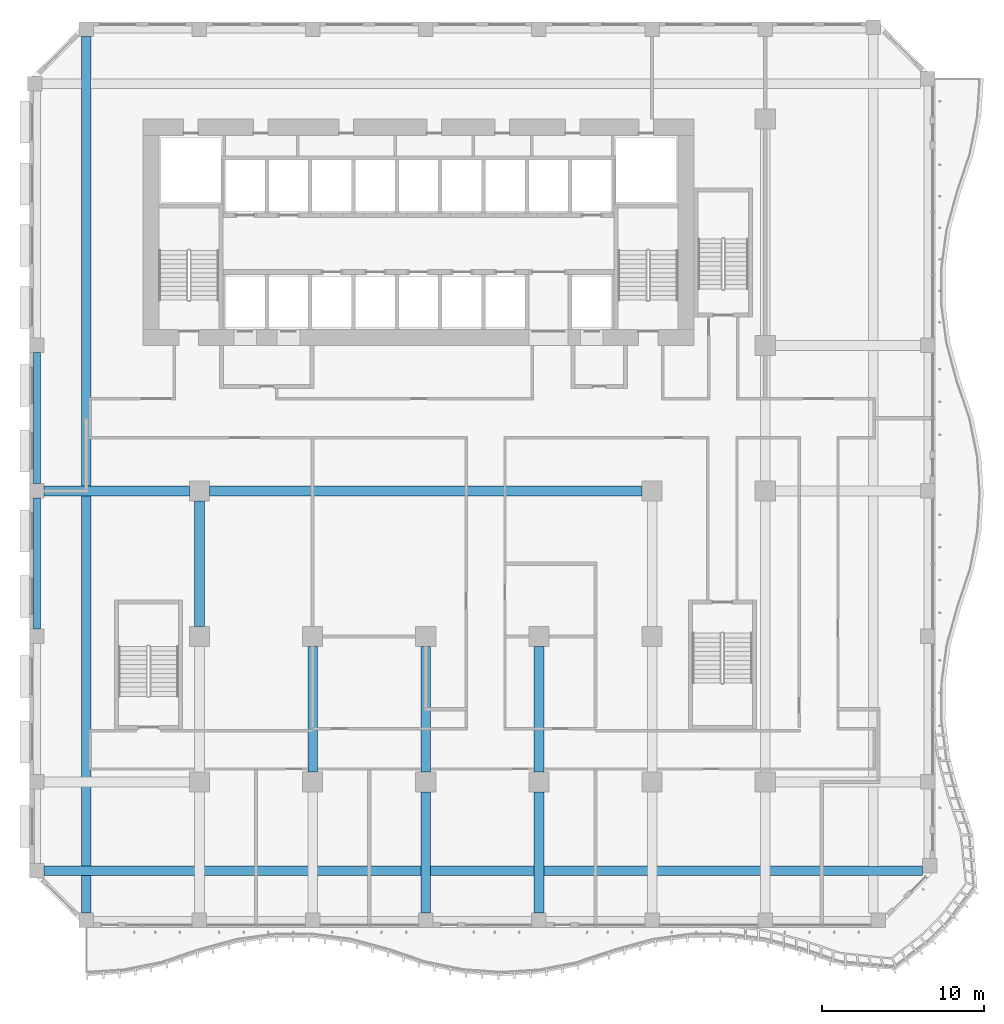
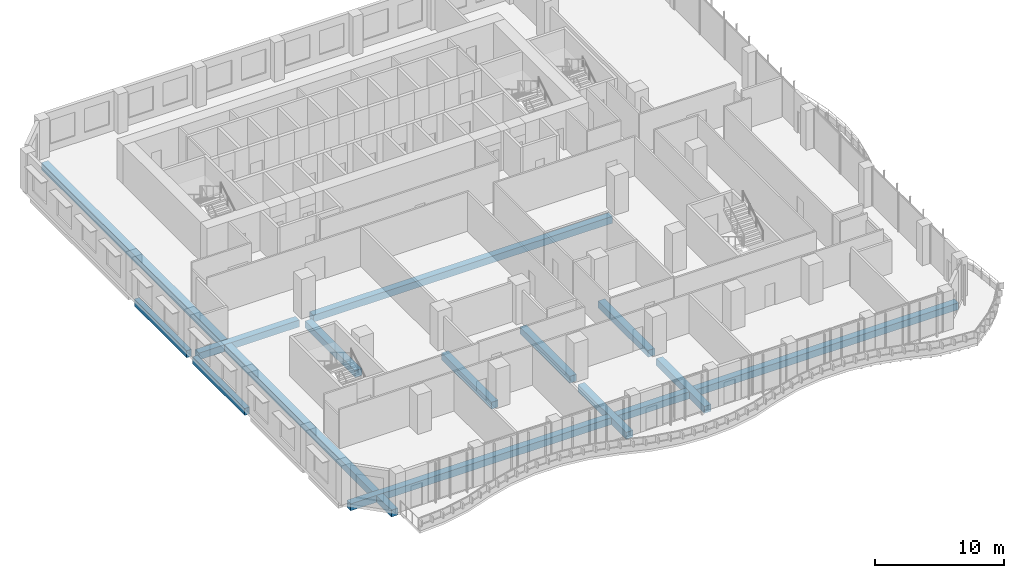
# One storey, part 3 of 26: 12 beams.
"""IFC4 building model written with IfcOpenShell, lengths in metres."""

from ifc_helpers import new_model, si_unit, direction, frame, origin, origin_2d, place, context, subcontext, project, spatial, rectangle, extrude, source, transform, mapped, material, material_profile, profile_set, type_object, element, save


model = new_model("IFC4")

# Units and contexts
model_context = context("Model", 3, precision=1e-05, world=origin(), true_north=direction((0.0, 1.0)))
body_context = subcontext(model_context, "Body", "Model", "MODEL_VIEW")
ifc_project = project(units=[si_unit("LENGTHUNIT", "METRE"), si_unit("AREAUNIT", "SQUARE_METRE"), si_unit("VOLUMEUNIT", "CUBIC_METRE"), si_unit("PLANEANGLEUNIT", "RADIAN"), si_unit("MASSUNIT", "GRAM", prefix="KILO")], contexts=[model_context])

# Site, building, storey
site_placement = place(None, origin())
site = spatial("IfcSite", under=ifc_project, at=site_placement, CompositionType="ELEMENT")
building_placement = place(site_placement, origin())
building = spatial("IfcBuilding", under=site, at=building_placement, Name="Kilnfold Tower and Market Hall", CompositionType="ELEMENT")
storey_placement = place(building_placement, frame((0.0, 0.0, 83.199951171875)))
storey = spatial("IfcBuildingStorey", under=building, at=storey_placement, Name="L19", CompositionType="ELEMENT", Elevation=83.199951171875)

# Beams
ifc_material_1 = material(Name="Concrete C45", Category="concrete")
ifc_material_profile_1 = material_profile(ifc_material_1, rectangle(XDim=0.60009765625, YDim=0.64990234375, at=origin_2d()), Name="RC 600x650")
ifc_profile_set_1 = profile_set([ifc_material_profile_1], Name="Concrete C45")
beam_type_1 = type_object("IfcBeamType", Name="BEAM 600X650 C45", PredefinedType="BEAM", material=ifc_profile_set_1)
shared_shape_1 = source(origin(), body_context, "Body", "SweptSolid", [
    extrude(rectangle(XDim=0.60009765625, YDim=0.64990234375, at=origin_2d()), origin(), (0.0, 0.0, 1.0), 54.331787109375),
])
beam_1_placement = place(storey_placement, frame((-22.10009765625, -24.5, -0.60498046875), z_axis=(1.0, 0.0, 0.0), x_axis=(0.0, 1.0, 0.0)))
element("IfcBeam", 1, at=beam_1_placement, inside=storey, type_object=beam_type_1, Name="Beam BB650-B2.67", PredefinedType="BEAM", context=body_context, shape_type="MappedRepresentation", body=[
    mapped(shared_shape_1, transform((0.0, 0.0, 0.0))),
])
ifc_material_2 = material(Name="Concrete C45", Category="concrete")
ifc_material_profile_2 = material_profile(ifc_material_2, rectangle(XDim=0.449951171875, YDim=0.64990234375, at=origin_2d()), Name="RC 450x650")
ifc_profile_set_2 = profile_set([ifc_material_profile_2], Name="Concrete C45")
beam_type_2 = type_object("IfcBeamType", Name="EDGE BEAM 450X650 C45", PredefinedType="BEAM", material=ifc_profile_set_2)
shared_shape_2 = source(origin(), body_context, "Body", "SweptSolid", [
    extrude(rectangle(XDim=0.449951171875, YDim=0.64990234375, at=origin_2d()), origin(), (0.0, 0.0, 1.0), 8.10009765625),
])
for number, where, z_axis, x_axis, name in (
    (2, (-22.550048828125, -9.550048828125, -0.60498046875), (0.0, 1.0, 0.0), (-1.0, 0.0, 0.0), "Beam EB650-B2.39"),
    (3, (-22.550048828125, -0.550048828125, -0.60498046875), (0.0, 1.0, 0.0), (-1.0, 0.0, 0.0), "Beam EB650-B2.40"),
):
    element("IfcBeam", number, at=place(storey_placement, frame(where, z_axis=z_axis, x_axis=x_axis)), inside=storey, type_object=beam_type_2, Name=name, PredefinedType="BEAM", context=body_context, shape_type="MappedRepresentation", body=[
        mapped(shared_shape_2, transform((0.0, 0.0, 0.0))),
    ])
shared_shape_3 = source(origin(), body_context, "Body", "SweptSolid", [
    extrude(rectangle(XDim=0.60009765625, YDim=0.64990234375, at=origin_2d()), origin(), (0.0, 0.0, 1.0), 54.2001953125),
])
beam_2_placement = place(storey_placement, frame((-19.5, -27.10009765625, -0.60498046875), z_axis=(0.0, 1.0, 0.0), x_axis=(-1.0, 0.0, 0.0)))
element("IfcBeam", 4, at=beam_2_placement, inside=storey, type_object=beam_type_1, Name="Beam BB650-B2.42", PredefinedType="BEAM", context=body_context, shape_type="MappedRepresentation", body=[
    mapped(shared_shape_3, transform((0.0, 0.0, 0.0))),
])
shared_shape_4 = source(origin(), body_context, "Body", "SweptSolid", [
    extrude(rectangle(XDim=0.60009765625, YDim=0.64990234375, at=origin_2d()), origin(), (0.0, 0.0, 1.0), 8.97509765625),
])
beam_3_placement = place(storey_placement, frame((-22.10009765625, -1.0, -0.60498046875), z_axis=(1.0, 0.0, 0.0), x_axis=(0.0, 1.0, 0.0)))
element("IfcBeam", 5, at=beam_3_placement, inside=storey, type_object=beam_type_1, Name="Beam BB650-B2.70", PredefinedType="BEAM", context=body_context, shape_type="MappedRepresentation", body=[
    mapped(shared_shape_4, transform((0.0, 0.0, 0.0))),
])
shared_shape_5 = source(origin(), body_context, "Body", "SweptSolid", [
    extrude(rectangle(XDim=0.60009765625, YDim=0.64990234375, at=origin_2d()), origin(), (0.0, 0.0, 1.0), 26.75),
])
beam_4_placement = place(storey_placement, frame((-11.875, -1.0, -0.60498046875), z_axis=(1.0, 0.0, 0.0), x_axis=(0.0, 1.0, 0.0)))
element("IfcBeam", 6, at=beam_4_placement, inside=storey, type_object=beam_type_1, Name="Beam BB650-B2.71", PredefinedType="BEAM", context=body_context, shape_type="MappedRepresentation", body=[
    mapped(shared_shape_5, transform((0.0, 0.0, 0.0))),
])
shared_shape_6 = source(origin(), body_context, "Body", "SweptSolid", [
    extrude(rectangle(XDim=0.60009765625, YDim=0.64990234375, at=origin_2d()), origin(), (0.0, 0.0, 1.0), 7.47509765625),
])
for number, where, z_axis, x_axis, name in (
    (7, (1.5, -27.10009765625, -0.60498046875), (0.0, 1.0, 0.0), (-1.0, 0.0, 0.0), "Beam BB650-B2.87"),
    (8, (8.5, -27.10009765625, -0.60498046875), (0.0, 1.0, 0.0), (-1.0, 0.0, 0.0), "Beam BB650-B2.89"),
):
    element("IfcBeam", number, at=place(storey_placement, frame(where, z_axis=z_axis, x_axis=x_axis)), inside=storey, type_object=beam_type_1, Name=name, PredefinedType="BEAM", context=body_context, shape_type="MappedRepresentation", body=[
        mapped(shared_shape_6, transform((0.0, 0.0, 0.0))),
    ])
shared_shape_7 = source(origin(), body_context, "Body", "SweptSolid", [
    extrude(rectangle(XDim=0.60009765625, YDim=0.64990234375, at=origin_2d()), origin(), (0.0, 0.0, 1.0), 7.75),
])
for number, where, z_axis, x_axis, name in (
    (9, (-12.5, -9.375, -0.60498046875), (0.0, 1.0, 0.0), (-1.0, 0.0, 0.0), "Beam BB650-B2.84"),
    (10, (-5.5, -18.375, -0.60498046875), (0.0, 1.0, 0.0), (-1.0, 0.0, 0.0), "Beam BB650-B2.86"),
    (11, (1.5, -18.375, -0.60498046875), (0.0, 1.0, 0.0), (-1.0, 0.0, 0.0), "Beam BB650-B2.88"),
    (12, (8.5, -18.375, -0.60498046875), (0.0, 1.0, 0.0), (-1.0, 0.0, 0.0), "Beam BB650-B2.90"),
):
    element("IfcBeam", number, at=place(storey_placement, frame(where, z_axis=z_axis, x_axis=x_axis)), inside=storey, type_object=beam_type_1, Name=name, PredefinedType="BEAM", context=body_context, shape_type="MappedRepresentation", body=[
        mapped(shared_shape_7, transform((0.0, 0.0, 0.0))),
    ])

save(model, "model.ifc")
